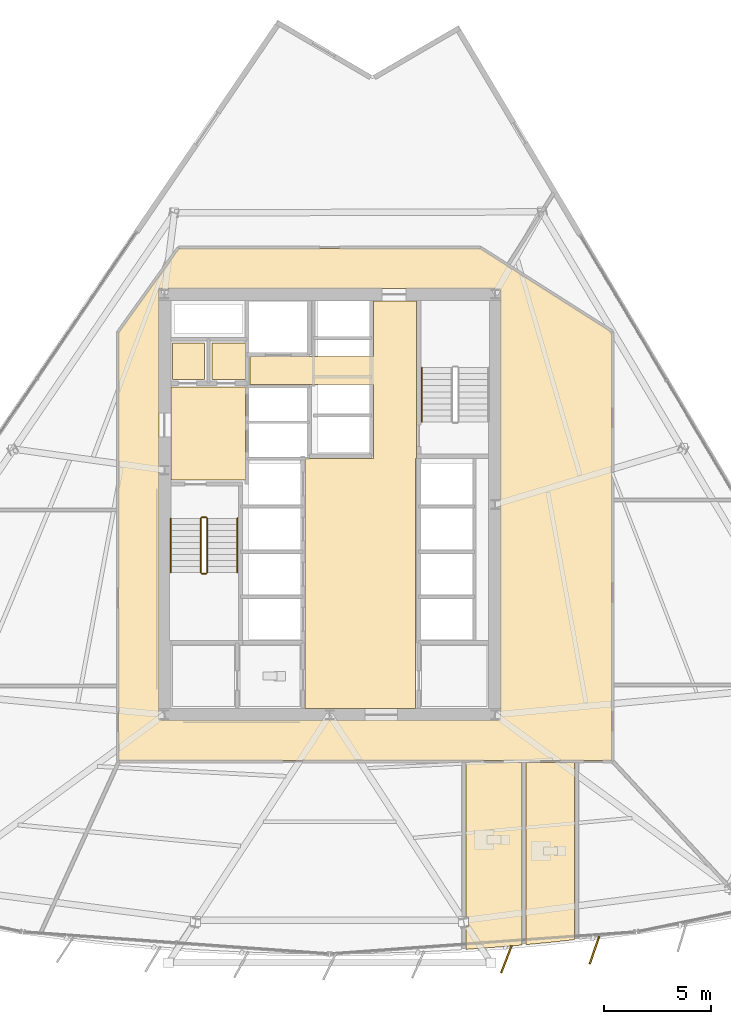
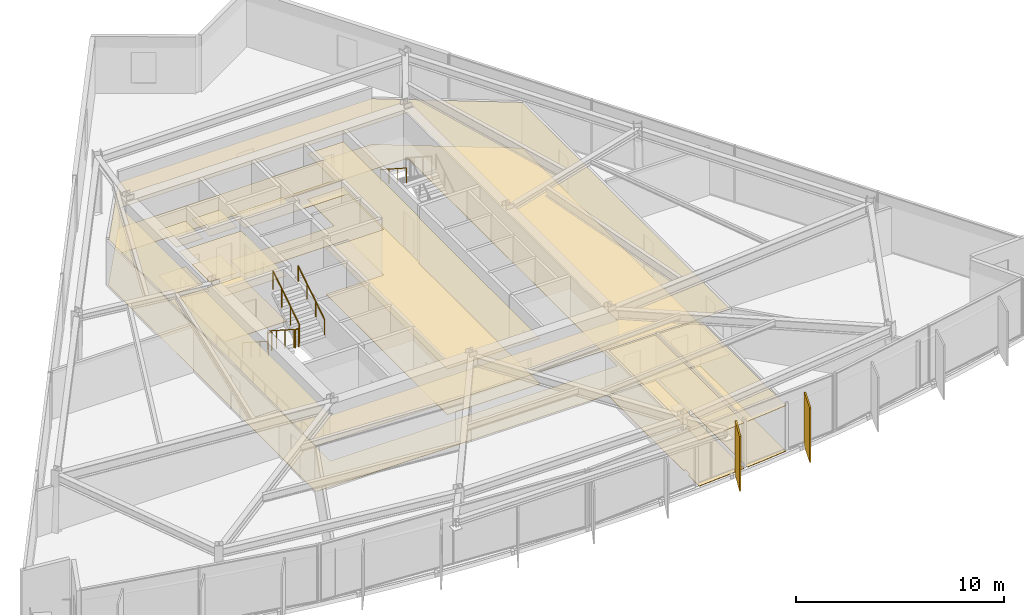
# One storey, part 12 of 15: 14 coverings, 7 railings, 2 shading devices.
"""IFC4 building model written with IfcOpenShell, lengths in metres."""

from ifc_helpers import new_model, si_unit, direction, frame, origin, origin_2d, place, context, subcontext, project, spatial, polyline, rectangle, circle, outline, extrude, material, layer, layer_set, type_object, element, save


model = new_model("IFC4")

# Units and contexts
model_context = context("Model", 3, precision=1e-05, world=origin(), true_north=direction((0.0, 1.0)))
body_context = subcontext(model_context, "Body", "Model", "MODEL_VIEW")
ifc_project = project(units=[si_unit("LENGTHUNIT", "METRE"), si_unit("AREAUNIT", "SQUARE_METRE"), si_unit("VOLUMEUNIT", "CUBIC_METRE"), si_unit("PLANEANGLEUNIT", "RADIAN"), si_unit("MASSUNIT", "GRAM", prefix="KILO")], contexts=[model_context])

# Site, building, storey
site_placement = place(None, origin())
site = spatial("IfcSite", under=ifc_project, at=site_placement, CompositionType="ELEMENT")
building_placement = place(site_placement, origin())
building = spatial("IfcBuilding", under=site, at=building_placement, Name="Savorim Split Tower", CompositionType="ELEMENT")
storey_placement = place(building_placement, frame((0.0, 0.0, 111.300048828125)))
storey = spatial("IfcBuildingStorey", under=building, at=storey_placement, Name="L29", CompositionType="ELEMENT", Elevation=111.300048828125)

# Coverings
ifc_material_1 = material(Name="Mineral Fibre Acoustic Ceiling")
ifc_layer_1 = layer(ifc_material_1, 0.02490234375)
ifc_layer_set_1 = layer_set([ifc_layer_1], Name="COV-CEIL-25")
covering_type_1 = type_object("IfcCoveringType", Name="COV-CEIL-25", PredefinedType="CEILING", material=ifc_layer_set_1)
covering_1_placement = place(storey_placement, frame((0.0, 0.0, 2.669921875)))
element("IfcCovering", 1, at=covering_1_placement, inside=storey, type_object=covering_type_1, Name="L29 Firefighting Lift Lobby Acoustic Ceiling", PredefinedType="CEILING", context=body_context, shape_type="SweptSolid", body=[
    extrude(outline(polyline([(-7.3798828125, 5.8701171875), (-7.3798828125, 1.530029296875), (-3.929931640625, 1.530029296875), (-3.929931640625, 5.8701171875), (-7.3798828125, 5.8701171875)])), origin(), (0.0, 0.0, 1.0), 0.025146484375),
])
covering_2_placement = place(storey_placement, frame((0.0, 0.0, 2.669921875)))
element("IfcCovering", 2, at=covering_2_placement, inside=storey, type_object=covering_type_1, Name="L29 Electrical Riser Acoustic Ceiling", PredefinedType="CEILING", context=body_context, shape_type="SweptSolid", body=[
    extrude(outline(polyline([(-7.320068359375, 7.919921875), (-7.320068359375, 6.22998046875), (-5.830078125, 6.22998046875), (-5.830078125, 7.919921875), (-7.320068359375, 7.919921875)])), origin(), (0.0, 0.0, 1.0), 0.025146484375),
])
covering_3_placement = place(storey_placement, frame((0.0, 0.0, 2.669921875)))
element("IfcCovering", 3, at=covering_3_placement, inside=storey, type_object=covering_type_1, Name="L29 Telecom Riser Acoustic Ceiling", PredefinedType="CEILING", context=body_context, shape_type="SweptSolid", body=[
    extrude(outline(polyline([(-5.469970703125, 7.919921875), (-5.469970703125, 6.22998046875), (-3.929931640625, 6.22998046875), (-3.929931640625, 7.919921875), (-5.469970703125, 7.919921875)])), origin(), (0.0, 0.0, 1.0), 0.025146484375),
])
covering_4_placement = place(storey_placement, frame((0.0, 0.0, 2.669921875)))
element("IfcCovering", 4, at=covering_4_placement, inside=storey, type_object=covering_type_1, Name="L29 Lift Lobby Acoustic Ceiling", PredefinedType="CEILING", context=body_context, shape_type="SweptSolid", body=[
    extrude(outline(polyline([(2.050048828125, 2.550048828125), (-1.14990234375, 2.550048828125), (-1.14990234375, -9.10009765625), (4.0, -9.10009765625), (4.0, 2.550048828125), (4.050048828125, 2.550048828125), (4.050048828125, 5.97998046875), (4.050048828125, 7.300048828125), (4.050048828125, 9.8798828125), (2.050048828125, 9.8798828125), (2.050048828125, 7.300048828125), (-3.699951171875, 7.300048828125), (-3.699951171875, 5.97998046875), (2.050048828125, 5.97998046875), (2.050048828125, 2.550048828125)])), origin(), (0.0, 0.0, 1.0), 0.025146484375),
])
covering_5_placement = place(storey_placement, frame((0.0, 0.0, 2.669921875)))
element("IfcCovering", 5, at=covering_5_placement, inside=storey, type_object=covering_type_1, Name="L29 Corridor Acoustic Ceiling", PredefinedType="CEILING", context=body_context, shape_type="SweptSolid", body=[
    extrude(outline(polyline([(7.009521484375, 12.3291015625), (7.004638671875, 12.329833984375), (7.0, 12.330078125), (-7.0, 12.330078125), (-7.004638671875, 12.329833984375), (-7.009521484375, 12.3291015625), (-7.013916015625, 12.327880859375), (-7.0185546875, 12.326416015625), (-7.022705078125, 12.324462890625), (-7.027099609375, 12.322021484375), (-7.03076171875, 12.3193359375), (-7.034423828125, 12.31640625), (-7.03759765625, 12.312744140625), (-7.04052734375, 12.30908203125), (-9.820556640625, 8.42919921875), (-9.823486328125, 8.4248046875), (-9.82568359375, 8.420166015625), (-9.82763671875, 8.415283203125), (-9.828857421875, 8.410400390625), (-9.82958984375, 8.4052734375), (-9.830078125, 8.39990234375), (-9.830078125, -11.47998046875), (-9.829833984375, -11.48486328125), (-9.8291015625, -11.48974609375), (-9.827880859375, -11.494384765625), (-9.826171875, -11.4990234375), (-9.82421875, -11.503662109375), (-9.821533203125, -11.5078125), (-9.818603515625, -11.51171875), (-9.8154296875, -11.515380859375), (-9.811767578125, -11.518798828125), (-9.807861328125, -11.521484375), (-9.8037109375, -11.524169921875), (-9.799072265625, -11.526123046875), (-9.79443359375, -11.52783203125), (-9.789794921875, -11.529052734375), (-9.784912109375, -11.52978515625), (-9.780029296875, -11.530029296875), (13.10009765625, -11.530029296875), (13.10498046875, -11.52978515625), (13.10986328125, -11.529052734375), (13.114501953125, -11.52783203125), (13.119140625, -11.526123046875), (13.12353515625, -11.524169921875), (13.127685546875, -11.521484375), (13.131591796875, -11.518798828125), (13.135498046875, -11.515380859375), (13.138671875, -11.51171875), (13.1416015625, -11.5078125), (13.14404296875, -11.503662109375), (13.146240234375, -11.4990234375), (13.147705078125, -11.494384765625), (13.14892578125, -11.48974609375), (13.14990234375, -11.48486328125), (13.14990234375, -11.47998046875), (13.14990234375, 8.39990234375), (13.149658203125, 8.405029296875), (13.14892578125, 8.409912109375), (13.147705078125, 8.414794921875), (13.14599609375, 8.41943359375), (13.143798828125, 8.424072265625), (13.14111328125, 8.42822265625), (13.13818359375, 8.432373046875), (13.134765625, 8.43603515625), (13.130859375, 8.439208984375), (13.126708984375, 8.442138671875), (7.02685546875, 12.322265625), (7.022705078125, 12.324462890625), (7.018310546875, 12.326416015625), (7.013916015625, 12.327880859375), (7.009521484375, 12.3291015625)]), holes=[polyline([(-7.949951171875, 10.449951171875), (-7.949951171875, -9.64990234375), (7.949951171875, -9.64990234375), (7.949951171875, 10.449951171875), (-7.949951171875, 10.449951171875)])]), origin(), (0.0, 0.0, 1.0), 0.025146484375),
])
covering_6_placement = place(storey_placement, frame((0.0, 0.0, 2.669921875)))
element("IfcCovering", 6, at=covering_6_placement, inside=storey, type_object=covering_type_1, Name="L29 Shared Bathroom Acoustic Ceiling", PredefinedType="CEILING", context=body_context, shape_type="SweptSolid", body=[
    extrude(outline(polyline([(6.341552734375, -20.28515625), (6.341552734375, -20.328369140625), (8.186767578125, -20.196044921875), (8.951904296875, -20.125244140625), (8.951904296875, -11.6201171875), (6.341552734375, -11.6201171875), (6.341552734375, -18.826904296875), (6.459716796875, -18.826904296875), (6.459716796875, -19.262939453125), (6.341552734375, -19.262939453125), (6.341552734375, -20.28515625)])), origin(), (0.0, 0.0, 1.0), 0.025146484375),
])
covering_7_placement = place(storey_placement, frame((0.0, 0.0, 2.669921875)))
element("IfcCovering", 7, at=covering_7_placement, inside=storey, type_object=covering_type_1, Name="L29 Shared Bathroom Acoustic Ceiling", PredefinedType="CEILING", context=body_context, shape_type="SweptSolid", body=[
    extrude(outline(polyline([(9.141845703125, -11.6201171875), (9.141845703125, -20.10791015625), (10.22705078125, -20.007568359375), (11.4169921875, -19.873046875), (11.4169921875, -11.6201171875), (9.141845703125, -11.6201171875)])), origin(), (0.0, 0.0, 1.0), 0.025146484375),
])
ifc_material_2 = material(Name="Porcelain Stoneware Flooring", Category="masonry")
ifc_layer_2 = layer(ifc_material_2, 0.02001953125)
ifc_layer_set_2 = layer_set([ifc_layer_2], Name="COV-FLOR-20")
covering_type_2 = type_object("IfcCoveringType", Name="COV-FLOR-20", PredefinedType="FLOORING", material=ifc_layer_set_2)
covering_8_placement = place(storey_placement, origin())
element("IfcCovering", 8, at=covering_8_placement, inside=storey, type_object=covering_type_2, Name="L29 Firefighting Lift Lobby Porcelain Flooring", PredefinedType="FLOORING", context=body_context, shape_type="SweptSolid", body=[
    extrude(outline(polyline([(-7.3798828125, 5.8701171875), (-7.3798828125, 1.530029296875), (-3.929931640625, 1.530029296875), (-3.929931640625, 5.8701171875), (-7.3798828125, 5.8701171875)])), origin(), (0.0, 0.0, 1.0), 0.02001953125),
])
covering_9_placement = place(storey_placement, origin())
element("IfcCovering", 9, at=covering_9_placement, inside=storey, type_object=covering_type_2, Name="L29 Electrical Riser Porcelain Flooring", PredefinedType="FLOORING", context=body_context, shape_type="SweptSolid", body=[
    extrude(outline(polyline([(-7.320068359375, 7.919921875), (-7.320068359375, 6.22998046875), (-5.830078125, 6.22998046875), (-5.830078125, 7.919921875), (-7.320068359375, 7.919921875)])), origin(), (0.0, 0.0, 1.0), 0.02001953125),
])
covering_10_placement = place(storey_placement, origin())
element("IfcCovering", 10, at=covering_10_placement, inside=storey, type_object=covering_type_2, Name="L29 Telecom Riser Porcelain Flooring", PredefinedType="FLOORING", context=body_context, shape_type="SweptSolid", body=[
    extrude(outline(polyline([(-5.469970703125, 7.919921875), (-5.469970703125, 6.22998046875), (-3.929931640625, 6.22998046875), (-3.929931640625, 7.919921875), (-5.469970703125, 7.919921875)])), origin(), (0.0, 0.0, 1.0), 0.02001953125),
])
covering_11_placement = place(storey_placement, origin())
element("IfcCovering", 11, at=covering_11_placement, inside=storey, type_object=covering_type_2, Name="L29 Lift Lobby Porcelain Flooring", PredefinedType="FLOORING", context=body_context, shape_type="SweptSolid", body=[
    extrude(outline(polyline([(2.050048828125, 2.550048828125), (-1.14990234375, 2.550048828125), (-1.14990234375, -9.10009765625), (4.0, -9.10009765625), (4.0, 2.550048828125), (4.050048828125, 2.550048828125), (4.050048828125, 5.97998046875), (4.050048828125, 7.300048828125), (4.050048828125, 9.8798828125), (2.050048828125, 9.8798828125), (2.050048828125, 7.300048828125), (-3.699951171875, 7.300048828125), (-3.699951171875, 5.97998046875), (2.050048828125, 5.97998046875), (2.050048828125, 2.550048828125)])), origin(), (0.0, 0.0, 1.0), 0.02001953125),
])
covering_12_placement = place(storey_placement, origin())
element("IfcCovering", 12, at=covering_12_placement, inside=storey, type_object=covering_type_2, Name="L29 Corridor Porcelain Flooring", PredefinedType="FLOORING", context=body_context, shape_type="SweptSolid", body=[
    extrude(outline(polyline([(7.009521484375, 12.3291015625), (7.004638671875, 12.329833984375), (7.0, 12.330078125), (-7.0, 12.330078125), (-7.004638671875, 12.329833984375), (-7.009521484375, 12.3291015625), (-7.013916015625, 12.327880859375), (-7.0185546875, 12.326416015625), (-7.022705078125, 12.324462890625), (-7.027099609375, 12.322021484375), (-7.03076171875, 12.3193359375), (-7.034423828125, 12.31640625), (-7.03759765625, 12.312744140625), (-7.04052734375, 12.30908203125), (-9.820556640625, 8.42919921875), (-9.823486328125, 8.4248046875), (-9.82568359375, 8.420166015625), (-9.82763671875, 8.415283203125), (-9.828857421875, 8.410400390625), (-9.82958984375, 8.4052734375), (-9.830078125, 8.39990234375), (-9.830078125, -11.47998046875), (-9.829833984375, -11.48486328125), (-9.8291015625, -11.48974609375), (-9.827880859375, -11.494384765625), (-9.826171875, -11.4990234375), (-9.82421875, -11.503662109375), (-9.821533203125, -11.5078125), (-9.818603515625, -11.51171875), (-9.8154296875, -11.515380859375), (-9.811767578125, -11.518798828125), (-9.807861328125, -11.521484375), (-9.8037109375, -11.524169921875), (-9.799072265625, -11.526123046875), (-9.79443359375, -11.52783203125), (-9.789794921875, -11.529052734375), (-9.784912109375, -11.52978515625), (-9.780029296875, -11.530029296875), (13.10009765625, -11.530029296875), (13.10498046875, -11.52978515625), (13.10986328125, -11.529052734375), (13.114501953125, -11.52783203125), (13.119140625, -11.526123046875), (13.12353515625, -11.524169921875), (13.127685546875, -11.521484375), (13.131591796875, -11.518798828125), (13.135498046875, -11.515380859375), (13.138671875, -11.51171875), (13.1416015625, -11.5078125), (13.14404296875, -11.503662109375), (13.146240234375, -11.4990234375), (13.147705078125, -11.494384765625), (13.14892578125, -11.48974609375), (13.14990234375, -11.48486328125), (13.14990234375, -11.47998046875), (13.14990234375, 8.39990234375), (13.149658203125, 8.405029296875), (13.14892578125, 8.409912109375), (13.147705078125, 8.414794921875), (13.14599609375, 8.41943359375), (13.143798828125, 8.424072265625), (13.14111328125, 8.42822265625), (13.13818359375, 8.432373046875), (13.134765625, 8.43603515625), (13.130859375, 8.439208984375), (13.126708984375, 8.442138671875), (7.02685546875, 12.322265625), (7.022705078125, 12.324462890625), (7.018310546875, 12.326416015625), (7.013916015625, 12.327880859375), (7.009521484375, 12.3291015625)]), holes=[polyline([(-7.949951171875, 10.449951171875), (-7.949951171875, -9.64990234375), (7.949951171875, -9.64990234375), (7.949951171875, 10.449951171875), (-7.949951171875, 10.449951171875)])]), origin(), (0.0, 0.0, 1.0), 0.02001953125),
])
covering_13_placement = place(storey_placement, origin())
element("IfcCovering", 13, at=covering_13_placement, inside=storey, type_object=covering_type_2, Name="L29 Shared Bathroom Porcelain Flooring", PredefinedType="FLOORING", context=body_context, shape_type="SweptSolid", body=[
    extrude(outline(polyline([(6.341552734375, -20.28515625), (6.341552734375, -20.328369140625), (8.186767578125, -20.196044921875), (8.951904296875, -20.125244140625), (8.951904296875, -11.6201171875), (6.341552734375, -11.6201171875), (6.341552734375, -18.826904296875), (6.459716796875, -18.826904296875), (6.459716796875, -19.262939453125), (6.341552734375, -19.262939453125), (6.341552734375, -20.28515625)])), origin(), (0.0, 0.0, 1.0), 0.02001953125),
])
covering_14_placement = place(storey_placement, origin())
element("IfcCovering", 14, at=covering_14_placement, inside=storey, type_object=covering_type_2, Name="L29 Shared Bathroom Porcelain Flooring", PredefinedType="FLOORING", context=body_context, shape_type="SweptSolid", body=[
    extrude(outline(polyline([(9.141845703125, -11.6201171875), (9.141845703125, -20.10791015625), (10.22705078125, -20.007568359375), (11.4169921875, -19.873046875), (11.4169921875, -11.6201171875), (9.141845703125, -11.6201171875)])), origin(), (0.0, 0.0, 1.0), 0.02001953125),
])

# Railings
ifc_material_3 = material(Name="Galvanised Painted Steel Balustrade", Category="steel")
railing_type_1 = type_object("IfcRailingType", Name="RLG-HR-900", PredefinedType="HANDRAIL", material=ifc_material_3)
railing_1_placement = place(storey_placement, frame((-7.39990234375, -0.25, 0.179931640625)))
element("IfcRailing", 15, at=railing_1_placement, inside=storey, type_object=railing_type_1, Name="L29 ST-1 stair handrail 1", PredefinedType="HANDRAIL", context=body_context, shape_type="SweptSolid", body=[
    extrude(circle(Radius=0.02392578125, at=origin_2d()), frame((0.0, 0.0, 0.8759765625), z_axis=(0.0, -0.841162588446, 0.540782303519), x_axis=(1.0, 0.0, 0.0)), (0.0, 0.0, 1.0), 2.995849609375),
    extrude(circle(Radius=0.02099609375, at=origin_2d()), origin(), (0.0, 0.0, 1.0), 0.851806640625),
    extrude(circle(Radius=0.02099609375, at=origin_2d()), frame((0.0, -0.840087890625, 0.5400390625)), (0.0, 0.0, 1.0), 0.851806640625),
    extrude(circle(Radius=0.02099609375, at=origin_2d()), frame((0.0, -1.679931640625, 1.080078125)), (0.0, 0.0, 1.0), 0.851806640625),
    extrude(circle(Radius=0.02099609375, at=origin_2d()), frame((0.0, -2.52001953125, 1.6201171875)), (0.0, 0.0, 1.0), 0.851806640625),
])
railing_2_placement = place(storey_placement, frame((-4.300048828125, -2.77001953125, 1.97998046875)))
element("IfcRailing", 16, at=railing_2_placement, inside=storey, type_object=railing_type_1, Name="L29 ST-1 stair handrail 2", PredefinedType="HANDRAIL", context=body_context, shape_type="SweptSolid", body=[
    extrude(circle(Radius=0.02392578125, at=origin_2d()), frame((0.0, 0.0, 0.8759765625), z_axis=(0.0, 0.841199657755, 0.540724639528), x_axis=(-1.0, 0.0, 0.0)), (0.0, 0.0, 1.0), 2.995849609375),
    extrude(circle(Radius=0.02099609375, at=origin_2d()), origin(), (0.0, 0.0, 1.0), 0.851806640625),
    extrude(circle(Radius=0.02099609375, at=origin_2d()), frame((0.0, 0.840087890625, 0.5400390625)), (0.0, 0.0, 1.0), 0.851806640625),
    extrude(circle(Radius=0.02099609375, at=origin_2d()), frame((0.0, 1.679931640625, 1.079833984375)), (0.0, 0.0, 1.0), 0.851806640625),
    extrude(circle(Radius=0.02099609375, at=origin_2d()), frame((0.0, 2.52001953125, 1.619873046875)), (0.0, 0.0, 1.0), 0.851806640625),
])
railing_3_placement = place(storey_placement, frame((4.300048828125, 6.77001953125, 1.97998046875)))
element("IfcRailing", 17, at=railing_3_placement, inside=storey, type_object=railing_type_1, Name="L29 ST-2 stair handrail 2", PredefinedType="HANDRAIL", context=body_context, shape_type="SweptSolid", body=[
    extrude(circle(Radius=0.02392578125, at=origin_2d()), frame((0.0, 0.0, 0.8759765625), z_axis=(0.0, -0.841199657755, 0.540724639528), x_axis=(1.0, 0.0, 0.0)), (0.0, 0.0, 1.0), 2.995849609375),
    extrude(circle(Radius=0.02099609375, at=origin_2d()), origin(), (0.0, 0.0, 1.0), 0.851806640625),
    extrude(circle(Radius=0.02099609375, at=origin_2d()), frame((0.0, -0.840087890625, 0.5400390625)), (0.0, 0.0, 1.0), 0.851806640625),
    extrude(circle(Radius=0.02099609375, at=origin_2d()), frame((0.0, -1.679931640625, 1.079833984375)), (0.0, 0.0, 1.0), 0.851806640625),
    extrude(circle(Radius=0.02099609375, at=origin_2d()), frame((0.0, -2.52001953125, 1.619873046875)), (0.0, 0.0, 1.0), 0.851806640625),
])
railing_type_2 = type_object("IfcRailingType", Name="RLG-STG-1100", PredefinedType="BALUSTRADE", material=ifc_material_3)
railing_4_placement = place(storey_placement, frame((-6.0, -0.25, 0.179931640625)))
element("IfcRailing", 18, at=railing_4_placement, inside=storey, type_object=railing_type_2, Name="L29 ST-1 stair guard 1", PredefinedType="BALUSTRADE", context=body_context, shape_type="SweptSolid", body=[
    extrude(circle(Radius=0.02392578125, at=origin_2d()), frame((0.0, 0.0, 1.076171875), z_axis=(0.0, -0.841162588446, 0.540782303519), x_axis=(1.0, 0.0, 0.0)), (0.0, 0.0, 1.0), 2.995849609375),
    extrude(circle(Radius=0.02099609375, at=origin_2d()), origin(), (0.0, 0.0, 1.0), 1.052001953125),
    extrude(circle(Radius=0.02099609375, at=origin_2d()), frame((0.0, -0.840087890625, 0.5400390625)), (0.0, 0.0, 1.0), 1.052001953125),
    extrude(circle(Radius=0.02099609375, at=origin_2d()), frame((0.0, -1.679931640625, 1.080078125)), (0.0, 0.0, 1.0), 1.052001953125),
    extrude(circle(Radius=0.02099609375, at=origin_2d()), frame((0.0, -2.52001953125, 1.6201171875)), (0.0, 0.0, 1.0), 1.052001953125),
])
railing_5_placement = place(storey_placement, frame((-5.949951171875, -2.820068359375, 1.800048828125)))
element("IfcRailing", 19, at=railing_5_placement, inside=storey, type_object=railing_type_2, Name="L29 ST-1 stair guard 2", PredefinedType="BALUSTRADE", context=body_context, shape_type="SweptSolid", body=[
    extrude(circle(Radius=0.02392578125, at=origin_2d()), frame((0.0, 0.0, 1.076171875), z_axis=(1.0, 0.0, 0.0), x_axis=(0.0, 1.0, 0.0)), (0.0, 0.0, 1.0), 0.199951171875),
    extrude(circle(Radius=0.02099609375, at=origin_2d()), origin(), (0.0, 0.0, 1.0), 1.052001953125),
    extrude(circle(Radius=0.02099609375, at=origin_2d()), frame((0.199951171875, 0.0, 0.0)), (0.0, 0.0, 1.0), 1.052001953125),
])
railing_6_placement = place(storey_placement, frame((-5.699951171875, -2.77001953125, 1.97998046875)))
element("IfcRailing", 20, at=railing_6_placement, inside=storey, type_object=railing_type_2, Name="L29 ST-1 stair guard 3", PredefinedType="BALUSTRADE", context=body_context, shape_type="SweptSolid", body=[
    extrude(circle(Radius=0.02392578125, at=origin_2d()), frame((0.0, 0.0, 1.076171875), z_axis=(0.0, 0.841199657755, 0.540724639528), x_axis=(-1.0, 0.0, 0.0)), (0.0, 0.0, 1.0), 2.995849609375),
    extrude(circle(Radius=0.02099609375, at=origin_2d()), origin(), (0.0, 0.0, 1.0), 1.052001953125),
    extrude(circle(Radius=0.02099609375, at=origin_2d()), frame((0.0, 0.840087890625, 0.5400390625)), (0.0, 0.0, 1.0), 1.052001953125),
    extrude(circle(Radius=0.02099609375, at=origin_2d()), frame((0.0, 1.679931640625, 1.079833984375)), (0.0, 0.0, 1.0), 1.052001953125),
    extrude(circle(Radius=0.02099609375, at=origin_2d()), frame((0.0, 2.52001953125, 1.619873046875)), (0.0, 0.0, 1.0), 1.052001953125),
])
railing_7_placement = place(storey_placement, frame((-5.949951171875, -0.199951171875, 0.0)))
element("IfcRailing", 21, at=railing_7_placement, inside=storey, type_object=railing_type_2, Name="L29 ST-1 stair guard 4", PredefinedType="BALUSTRADE", context=body_context, shape_type="SweptSolid", body=[
    extrude(circle(Radius=0.02392578125, at=origin_2d()), frame((0.0, 0.0, 1.076171875), z_axis=(1.0, 0.0, 0.0), x_axis=(0.0, 1.0, 0.0)), (0.0, 0.0, 1.0), 0.199951171875),
    extrude(circle(Radius=0.02099609375, at=origin_2d()), origin(), (0.0, 0.0, 1.0), 1.052001953125),
    extrude(circle(Radius=0.02099609375, at=origin_2d()), frame((0.199951171875, 0.0, 0.0)), (0.0, 0.0, 1.0), 1.052001953125),
])

# Shading devices
ifc_material_4 = material(Name="Terracotta Ceramic-Coated Aluminium Fin", Category="masonry")
shading_device_type = type_object("IfcShadingDeviceType", Name="SHD-FIN-1360", PredefinedType="USERDEFINED", material=ifc_material_4)
for number, where, z_axis, x_axis, name in (
    (22, (8.235595703125, -20.7900390625, -0.2001953125), (0.0, 0.0, 1.0), (-0.363415461732, -0.931627179817, 0.0), "L29 Sawtooth Shading Fin 09"),
    (23, (12.3359375, -20.368896484375, -0.2001953125), (0.0, 0.0, 1.0), (-0.324993810493, -0.945716143005, 0.0), "L29 Sawtooth Shading Fin 10"),
):
    element("IfcShadingDevice", number, at=place(storey_placement, frame(where, z_axis=z_axis, x_axis=x_axis)), inside=storey, type_object=shading_device_type, Name=name, ObjectType="FIN", PredefinedType="USERDEFINED", context=body_context, shape_type="SweptSolid", body=[
        extrude(rectangle(XDim=1.360107421875, YDim=0.080078125, at=origin_2d()), origin(), (0.0, 0.0, 1.0), 3.199951171875),
    ])

save(model, "model.ifc")
